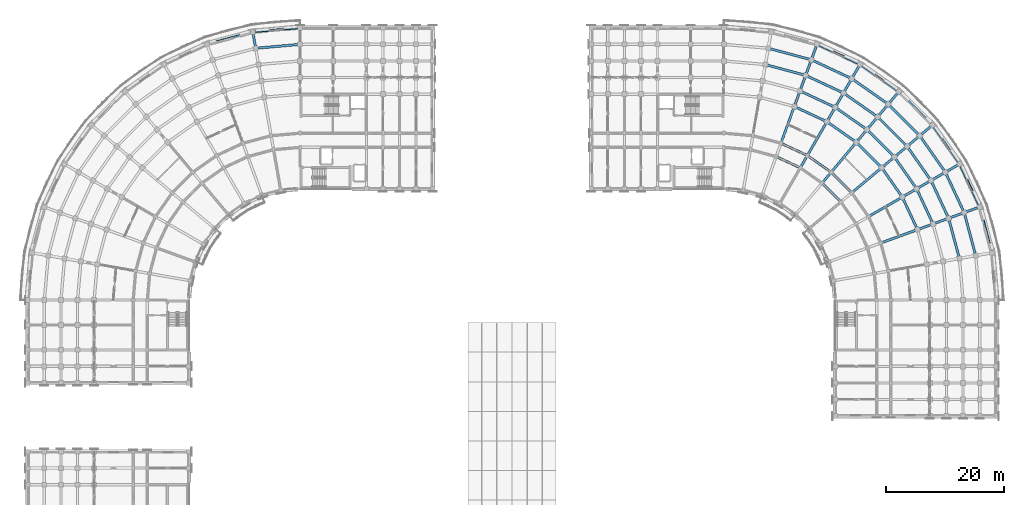
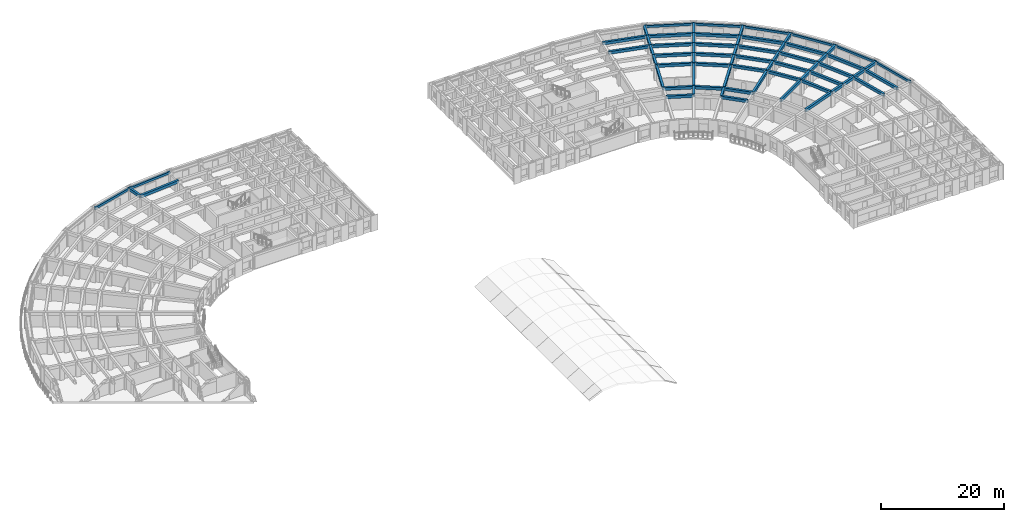
# One storey, part 12 of 54: 71 beams.
"""IFC4 building model written with IfcOpenShell, lengths in metres."""

from ifc_helpers import new_model, si_unit, direction, frame, origin, origin_2d, place, context, subcontext, project, spatial, rectangle, extrude, material, material_profile, profile_set, type_object, element, save


model = new_model("IFC4")

# Units and contexts
model_context = context("Model", 3, precision=1e-05, world=origin(), true_north=direction((0.0, 1.0)))
body_context = subcontext(model_context, "Body", "Model", "MODEL_VIEW")
ifc_project = project(units=[si_unit("LENGTHUNIT", "METRE"), si_unit("AREAUNIT", "SQUARE_METRE"), si_unit("VOLUMEUNIT", "CUBIC_METRE"), si_unit("PLANEANGLEUNIT", "RADIAN"), si_unit("MASSUNIT", "GRAM", prefix="KILO")], contexts=[model_context])

# Site, building, storey
site_placement = place(None, origin())
site = spatial("IfcSite", under=ifc_project, at=site_placement, CompositionType="ELEMENT")
building_placement = place(site_placement, origin())
building = spatial("IfcBuilding", under=site, at=building_placement, Name="Kiranvali Square Residences", CompositionType="ELEMENT")
storey_placement = place(building_placement, frame((0.0, 0.0, 15.0)))
storey = spatial("IfcBuildingStorey", under=building, at=storey_placement, Name="L04", CompositionType="ELEMENT", Elevation=15.0)

# Beams
ifc_material_1 = material(Name="Concrete M45 (45 MPa)", Category="concrete")
ifc_material_profile_1 = material_profile(ifc_material_1, rectangle(XDim=0.39990234375, YDim=0.550048828125, at=origin_2d()), Name="RC 400x550")
ifc_profile_set_1 = profile_set([ifc_material_profile_1], Name="Concrete M45 (45 MPa)")
beam_type_1 = type_object("IfcBeamType", Name="BM-M45-400x550", PredefinedType="BEAM", material=ifc_profile_set_1)
beam_1_placement = place(storey_placement, frame((48.199951171875, 131.0, 2.655029296875), z_axis=(-0.996195195417, -0.087150058103, 0.0), x_axis=(0.087150058103, -0.996195195417, 0.0)))
element("IfcBeam", 1, at=beam_1_placement, inside=storey, type_object=beam_type_1, Name="L04 beam BM-A-L04-C00-R6", PredefinedType="BEAM", context=body_context, shape_type="SweptSolid", body=[
    extrude(rectangle(XDim=0.39990234375, YDim=0.550048828125, at=origin_2d()), origin(), (0.0, 0.0, 1.0), 7.530029296875),
])
beam_2_placement = place(storey_placement, frame((40.698486328125, 130.34375, 2.655029296875), z_axis=(-0.173695795656, 0.984799355489, 0.0), x_axis=(-0.984799355489, -0.173695795656, 0.0)))
element("IfcBeam", 2, at=beam_2_placement, inside=storey, type_object=beam_type_1, Name="L04 beam BM-A-L04-RAD01-67", PredefinedType="BEAM", context=body_context, shape_type="SweptSolid", body=[
    extrude(rectangle(XDim=0.39990234375, YDim=0.550048828125, at=origin_2d()), origin(), (0.0, 0.0, 1.0), 2.7998046875),
])
beam_3_placement = place(storey_placement, frame((126.8154296875, 127.586181640625, 2.655029296875), z_axis=(0.965931029817, -0.258799624492, 0.0), x_axis=(0.258799624492, 0.965931029817, 0.0)))
element("IfcBeam", 3, at=beam_3_placement, inside=storey, type_object=beam_type_1, Name="L04 beam BM-B-L04-C01-R5", PredefinedType="BEAM", context=body_context, shape_type="SweptSolid", body=[
    extrude(rectangle(XDim=0.39990234375, YDim=0.550048828125, at=origin_2d()), origin(), (0.0, 0.0, 1.0), 7.042236328125),
])
beam_4_placement = place(storey_placement, frame((127.301513671875, 130.34375, 2.655029296875), z_axis=(0.965925909693, -0.258818733833, 0.0), x_axis=(0.258818733833, 0.965925909693, 0.0)))
element("IfcBeam", 4, at=beam_4_placement, inside=storey, type_object=beam_type_1, Name="L04 beam BM-B-L04-C01-R6", PredefinedType="BEAM", context=body_context, shape_type="SweptSolid", body=[
    extrude(rectangle(XDim=0.39990234375, YDim=0.550048828125, at=origin_2d()), origin(), (0.0, 0.0, 1.0), 7.5302734375),
])
beam_5_placement = place(storey_placement, frame((128.6240234375, 112.044189453125, 2.655029296875), z_axis=(0.906307919131, -0.422617978463, 0.0), x_axis=(0.422617978463, 0.906307919131, 0.0)))
element("IfcBeam", 5, at=beam_5_placement, inside=storey, type_object=beam_type_1, Name="L04 beam BM-B-L04-C02-R1", PredefinedType="BEAM", context=body_context, shape_type="SweptSolid", body=[
    extrude(rectangle(XDim=0.39990234375, YDim=0.550048828125, at=origin_2d()), origin(), (0.0, 0.0, 1.0), 4.497314453125),
])
beam_6_placement = place(storey_placement, frame((129.445068359375, 114.29931640625, 2.655029296875), z_axis=(0.906302381024, -0.422629854778, 0.0), x_axis=(0.422629854778, 0.906302381024, 0.0)))
element("IfcBeam", 6, at=beam_6_placement, inside=storey, type_object=beam_type_1, Name="L04 beam BM-B-L04-C02-R2", PredefinedType="BEAM", context=body_context, shape_type="SweptSolid", body=[
    extrude(rectangle(XDim=0.39990234375, YDim=0.550048828125, at=origin_2d()), origin(), (0.0, 0.0, 1.0), 4.915283203125),
])
beam_7_placement = place(storey_placement, frame((131.702392578125, 120.501220703125, 2.655029296875), z_axis=(0.906312656069, -0.42260781991, 0.0), x_axis=(0.42260781991, 0.906312656069, 0.0)))
element("IfcBeam", 7, at=beam_7_placement, inside=storey, type_object=beam_type_1, Name="L04 beam BM-B-L04-C02-R3", PredefinedType="BEAM", context=body_context, shape_type="SweptSolid", body=[
    extrude(rectangle(XDim=0.39990234375, YDim=0.550048828125, at=origin_2d()), origin(), (0.0, 0.0, 1.0), 6.06591796875),
])
beam_8_placement = place(storey_placement, frame((132.659912109375, 123.13232421875, 2.655029296875), z_axis=(0.906318225223, -0.422595876255, 0.0), x_axis=(0.422595876255, 0.906318225223, 0.0)))
element("IfcBeam", 8, at=beam_8_placement, inside=storey, type_object=beam_type_1, Name="L04 beam BM-B-L04-C02-R4", PredefinedType="BEAM", context=body_context, shape_type="SweptSolid", body=[
    extrude(rectangle(XDim=0.39990234375, YDim=0.550048828125, at=origin_2d()), origin(), (0.0, 0.0, 1.0), 6.55419921875),
])
beam_9_placement = place(storey_placement, frame((133.61767578125, 125.763671875, 2.655029296875), z_axis=(0.906297360311, -0.422640621205, 0.0), x_axis=(0.422640621205, 0.906297360311, 0.0)))
element("IfcBeam", 9, at=beam_9_placement, inside=storey, type_object=beam_type_1, Name="L04 beam BM-B-L04-C02-R5", PredefinedType="BEAM", context=body_context, shape_type="SweptSolid", body=[
    extrude(rectangle(XDim=0.39990234375, YDim=0.550048828125, at=origin_2d()), origin(), (0.0, 0.0, 1.0), 7.042236328125),
])
beam_10_placement = place(storey_placement, frame((134.5751953125, 128.394775390625, 2.655029296875), z_axis=(0.90630982703, -0.422613886933, 0.0), x_axis=(0.422613886933, 0.90630982703, 0.0)))
element("IfcBeam", 10, at=beam_10_placement, inside=storey, type_object=beam_type_1, Name="L04 beam BM-B-L04-C02-R6", PredefinedType="BEAM", context=body_context, shape_type="SweptSolid", body=[
    extrude(rectangle(XDim=0.39990234375, YDim=0.550048828125, at=origin_2d()), origin(), (0.0, 0.0, 1.0), 7.5302734375),
])
beam_11_placement = place(storey_placement, frame((133.89990234375, 112.221923828125, 2.655029296875), z_axis=(0.819140911474, -0.573592335331, 0.0), x_axis=(0.573592335331, 0.819140911474, 0.0)))
element("IfcBeam", 11, at=beam_11_placement, inside=storey, type_object=beam_type_1, Name="L04 beam BM-B-L04-C03-R2", PredefinedType="BEAM", context=body_context, shape_type="SweptSolid", body=[
    extrude(rectangle(XDim=0.39990234375, YDim=0.550048828125, at=origin_2d()), origin(), (0.0, 0.0, 1.0), 4.915771484375),
])
beam_12_placement = place(storey_placement, frame((137.199951171875, 117.937744140625, 2.655029296875), z_axis=(0.81913926159, -0.573594691504, 0.0), x_axis=(0.573594691504, 0.81913926159, 0.0)))
element("IfcBeam", 12, at=beam_12_placement, inside=storey, type_object=beam_type_1, Name="L04 beam BM-B-L04-C03-R3", PredefinedType="BEAM", context=body_context, shape_type="SweptSolid", body=[
    extrude(rectangle(XDim=0.39990234375, YDim=0.550048828125, at=origin_2d()), origin(), (0.0, 0.0, 1.0), 6.066162109375),
])
beam_13_placement = place(storey_placement, frame((138.60009765625, 120.362548828125, 2.655029296875), z_axis=(0.819144409176, -0.573587340268, 0.0), x_axis=(0.573587340268, 0.819144409176, 0.0)))
element("IfcBeam", 13, at=beam_13_placement, inside=storey, type_object=beam_type_1, Name="L04 beam BM-B-L04-C03-R4", PredefinedType="BEAM", context=body_context, shape_type="SweptSolid", body=[
    extrude(rectangle(XDim=0.39990234375, YDim=0.550048828125, at=origin_2d()), origin(), (0.0, 0.0, 1.0), 6.553955078125),
])
beam_14_placement = place(storey_placement, frame((140.0, 122.787353515625, 2.655029296875), z_axis=(0.819160249246, -0.57356471828, 0.0), x_axis=(0.57356471828, 0.819160249246, 0.0)))
element("IfcBeam", 14, at=beam_14_placement, inside=storey, type_object=beam_type_1, Name="L04 beam BM-B-L04-C03-R5", PredefinedType="BEAM", context=body_context, shape_type="SweptSolid", body=[
    extrude(rectangle(XDim=0.39990234375, YDim=0.550048828125, at=origin_2d()), origin(), (0.0, 0.0, 1.0), 7.0419921875),
])
beam_15_placement = place(storey_placement, frame((141.39990234375, 125.21240234375, 2.655029296875), z_axis=(0.819143569597, -0.573588539275, 0.0), x_axis=(0.573588539275, 0.819143569597, 0.0)))
element("IfcBeam", 15, at=beam_15_placement, inside=storey, type_object=beam_type_1, Name="L04 beam BM-B-L04-C03-R6", PredefinedType="BEAM", context=body_context, shape_type="SweptSolid", body=[
    extrude(rectangle(XDim=0.39990234375, YDim=0.550048828125, at=origin_2d()), origin(), (0.0, 0.0, 1.0), 7.5302734375),
])
beam_16_placement = place(storey_placement, frame((136.384033203125, 107.56396484375, 2.655029296875), z_axis=(0.707106781187, -0.707106781187, 0.0), x_axis=(0.707106781187, 0.707106781187, 0.0)))
element("IfcBeam", 16, at=beam_16_placement, inside=storey, type_object=beam_type_1, Name="L04 beam BM-B-L04-C04-R1", PredefinedType="BEAM", context=body_context, shape_type="SweptSolid", body=[
    extrude(rectangle(XDim=0.39990234375, YDim=0.550048828125, at=origin_2d()), origin(), (0.0, 0.0, 1.0), 4.4970703125),
])
beam_17_placement = place(storey_placement, frame((137.926513671875, 109.40234375, 2.655029296875), z_axis=(0.707106781187, -0.707106781187, 0.0), x_axis=(0.707106781187, 0.707106781187, 0.0)))
element("IfcBeam", 17, at=beam_17_placement, inside=storey, type_object=beam_type_1, Name="L04 beam BM-B-L04-C04-R2", PredefinedType="BEAM", context=body_context, shape_type="SweptSolid", body=[
    extrude(rectangle(XDim=0.39990234375, YDim=0.550048828125, at=origin_2d()), origin(), (0.0, 0.0, 1.0), 4.91552734375),
])
beam_18_placement = place(storey_placement, frame((142.1689453125, 114.458251953125, 2.655029296875), z_axis=(0.707106781187, -0.707106781187, 0.0), x_axis=(0.707106781187, 0.707106781187, 0.0)))
element("IfcBeam", 18, at=beam_18_placement, inside=storey, type_object=beam_type_1, Name="L04 beam BM-B-L04-C04-R3", PredefinedType="BEAM", context=body_context, shape_type="SweptSolid", body=[
    extrude(rectangle(XDim=0.39990234375, YDim=0.550048828125, at=origin_2d()), origin(), (0.0, 0.0, 1.0), 6.06591796875),
])
beam_19_placement = place(storey_placement, frame((143.96875, 116.603271484375, 2.655029296875), z_axis=(0.707106781187, -0.707106781187, 0.0), x_axis=(0.707106781187, 0.707106781187, 0.0)))
element("IfcBeam", 19, at=beam_19_placement, inside=storey, type_object=beam_type_1, Name="L04 beam BM-B-L04-C04-R4", PredefinedType="BEAM", context=body_context, shape_type="SweptSolid", body=[
    extrude(rectangle(XDim=0.39990234375, YDim=0.550048828125, at=origin_2d()), origin(), (0.0, 0.0, 1.0), 6.55419921875),
])
beam_20_placement = place(storey_placement, frame((145.7685546875, 118.748291015625, 2.655029296875), z_axis=(0.707106781187, -0.707106781187, 0.0), x_axis=(0.707106781187, 0.707106781187, 0.0)))
element("IfcBeam", 20, at=beam_20_placement, inside=storey, type_object=beam_type_1, Name="L04 beam BM-B-L04-C04-R5", PredefinedType="BEAM", context=body_context, shape_type="SweptSolid", body=[
    extrude(rectangle(XDim=0.39990234375, YDim=0.550048828125, at=origin_2d()), origin(), (0.0, 0.0, 1.0), 7.04248046875),
])
beam_21_placement = place(storey_placement, frame((147.568359375, 120.89306640625, 2.655029296875), z_axis=(0.707106781187, -0.707106781187, 0.0), x_axis=(0.707106781187, 0.707106781187, 0.0)))
element("IfcBeam", 21, at=beam_21_placement, inside=storey, type_object=beam_type_1, Name="L04 beam BM-B-L04-C04-R6", PredefinedType="BEAM", context=body_context, shape_type="SweptSolid", body=[
    extrude(rectangle(XDim=0.39990234375, YDim=0.550048828125, at=origin_2d()), origin(), (0.0, 0.0, 1.0), 7.5302734375),
])
beam_22_placement = place(storey_placement, frame((146.458251953125, 110.1689453125, 2.655029296875), z_axis=(0.573594691504, -0.81913926159, 0.0), x_axis=(0.81913926159, 0.573594691504, 0.0)))
element("IfcBeam", 22, at=beam_22_placement, inside=storey, type_object=beam_type_1, Name="L04 beam BM-B-L04-C05-R3", PredefinedType="BEAM", context=body_context, shape_type="SweptSolid", body=[
    extrude(rectangle(XDim=0.39990234375, YDim=0.550048828125, at=origin_2d()), origin(), (0.0, 0.0, 1.0), 6.066162109375),
])
beam_23_placement = place(storey_placement, frame((148.603271484375, 111.96875, 2.655029296875), z_axis=(0.573587340268, -0.819144409176, 0.0), x_axis=(0.819144409176, 0.573587340268, 0.0)))
element("IfcBeam", 23, at=beam_23_placement, inside=storey, type_object=beam_type_1, Name="L04 beam BM-B-L04-C05-R4", PredefinedType="BEAM", context=body_context, shape_type="SweptSolid", body=[
    extrude(rectangle(XDim=0.39990234375, YDim=0.550048828125, at=origin_2d()), origin(), (0.0, 0.0, 1.0), 6.553955078125),
])
beam_24_placement = place(storey_placement, frame((150.748291015625, 113.7685546875, 2.655029296875), z_axis=(0.57356471828, -0.819160249246, 0.0), x_axis=(0.819160249246, 0.57356471828, 0.0)))
element("IfcBeam", 24, at=beam_24_placement, inside=storey, type_object=beam_type_1, Name="L04 beam BM-B-L04-C05-R5", PredefinedType="BEAM", context=body_context, shape_type="SweptSolid", body=[
    extrude(rectangle(XDim=0.39990234375, YDim=0.550048828125, at=origin_2d()), origin(), (0.0, 0.0, 1.0), 7.0419921875),
])
beam_25_placement = place(storey_placement, frame((152.89306640625, 115.568359375, 2.655029296875), z_axis=(0.573588539275, -0.819143569597, 0.0), x_axis=(0.819143569597, 0.573588539275, 0.0)))
element("IfcBeam", 25, at=beam_25_placement, inside=storey, type_object=beam_type_1, Name="L04 beam BM-B-L04-C05-R6", PredefinedType="BEAM", context=body_context, shape_type="SweptSolid", body=[
    extrude(rectangle(XDim=0.39990234375, YDim=0.550048828125, at=origin_2d()), origin(), (0.0, 0.0, 1.0), 7.5302734375),
])
beam_26_placement = place(storey_placement, frame((149.937744140625, 105.199951171875, 2.655029296875), z_axis=(0.42260781991, -0.906312656069, 0.0), x_axis=(0.906312656069, 0.42260781991, 0.0)))
element("IfcBeam", 26, at=beam_26_placement, inside=storey, type_object=beam_type_1, Name="L04 beam BM-B-L04-C06-R3", PredefinedType="BEAM", context=body_context, shape_type="SweptSolid", body=[
    extrude(rectangle(XDim=0.39990234375, YDim=0.550048828125, at=origin_2d()), origin(), (0.0, 0.0, 1.0), 6.06591796875),
])
beam_27_placement = place(storey_placement, frame((152.362548828125, 106.60009765625, 2.655029296875), z_axis=(0.422595876255, -0.906318225223, 0.0), x_axis=(0.906318225223, 0.422595876255, 0.0)))
element("IfcBeam", 27, at=beam_27_placement, inside=storey, type_object=beam_type_1, Name="L04 beam BM-B-L04-C06-R4", PredefinedType="BEAM", context=body_context, shape_type="SweptSolid", body=[
    extrude(rectangle(XDim=0.39990234375, YDim=0.550048828125, at=origin_2d()), origin(), (0.0, 0.0, 1.0), 6.55419921875),
])
beam_28_placement = place(storey_placement, frame((154.787353515625, 108.0, 2.655029296875), z_axis=(0.422640621205, -0.906297360311, 0.0), x_axis=(0.906297360311, 0.422640621205, 0.0)))
element("IfcBeam", 28, at=beam_28_placement, inside=storey, type_object=beam_type_1, Name="L04 beam BM-B-L04-C06-R5", PredefinedType="BEAM", context=body_context, shape_type="SweptSolid", body=[
    extrude(rectangle(XDim=0.39990234375, YDim=0.550048828125, at=origin_2d()), origin(), (0.0, 0.0, 1.0), 7.042236328125),
])
beam_29_placement = place(storey_placement, frame((157.21240234375, 109.39990234375, 2.655029296875), z_axis=(0.422613886933, -0.90630982703, 0.0), x_axis=(0.90630982703, 0.422613886933, 0.0)))
element("IfcBeam", 29, at=beam_29_placement, inside=storey, type_object=beam_type_1, Name="L04 beam BM-B-L04-C06-R6", PredefinedType="BEAM", context=body_context, shape_type="SweptSolid", body=[
    extrude(rectangle(XDim=0.39990234375, YDim=0.550048828125, at=origin_2d()), origin(), (0.0, 0.0, 1.0), 7.5302734375),
])
beam_30_placement = place(storey_placement, frame((157.763671875, 101.61767578125, 2.655029296875), z_axis=(0.258799624492, -0.965931029817, 0.0), x_axis=(0.965931029817, 0.258799624492, 0.0)))
element("IfcBeam", 30, at=beam_30_placement, inside=storey, type_object=beam_type_1, Name="L04 beam BM-B-L04-C07-R5", PredefinedType="BEAM", context=body_context, shape_type="SweptSolid", body=[
    extrude(rectangle(XDim=0.39990234375, YDim=0.550048828125, at=origin_2d()), origin(), (0.0, 0.0, 1.0), 7.042236328125),
])
beam_31_placement = place(storey_placement, frame((160.394775390625, 102.5751953125, 2.655029296875), z_axis=(0.258818733833, -0.965925909693, 0.0), x_axis=(0.965925909693, 0.258818733833, 0.0)))
element("IfcBeam", 31, at=beam_31_placement, inside=storey, type_object=beam_type_1, Name="L04 beam BM-B-L04-C07-R6", PredefinedType="BEAM", context=body_context, shape_type="SweptSolid", body=[
    extrude(rectangle(XDim=0.39990234375, YDim=0.550048828125, at=origin_2d()), origin(), (0.0, 0.0, 1.0), 7.5302734375),
])
beam_32_placement = place(storey_placement, frame((129.445068359375, 114.29931640625, 2.655029296875), z_axis=(0.342022238372, 0.939691858249, 0.0), x_axis=(-0.939691858249, 0.342022238372, 0.0)))
element("IfcBeam", 32, at=beam_32_placement, inside=storey, type_object=beam_type_1, Name="L04 beam BM-B-L04-RAD02-23", PredefinedType="BEAM", context=body_context, shape_type="SweptSolid", body=[
    extrude(rectangle(XDim=0.39990234375, YDim=0.550048828125, at=origin_2d()), origin(), (0.0, 0.0, 1.0), 6.599853515625),
])
beam_33_placement = place(storey_placement, frame((131.702392578125, 120.501220703125, 2.655029296875), z_axis=(0.341981089711, 0.93970683422, 0.0), x_axis=(-0.93970683422, 0.341981089711, 0.0)))
element("IfcBeam", 33, at=beam_33_placement, inside=storey, type_object=beam_type_1, Name="L04 beam BM-B-L04-RAD02-34", PredefinedType="BEAM", context=body_context, shape_type="SweptSolid", body=[
    extrude(rectangle(XDim=0.39990234375, YDim=0.550048828125, at=origin_2d()), origin(), (0.0, 0.0, 1.0), 2.7998046875),
])
beam_34_placement = place(storey_placement, frame((132.659912109375, 123.13232421875, 2.655029296875), z_axis=(0.342030060398, 0.939689011208, 0.0), x_axis=(-0.939689011208, 0.342030060398, 0.0)))
element("IfcBeam", 34, at=beam_34_placement, inside=storey, type_object=beam_type_1, Name="L04 beam BM-B-L04-RAD02-45", PredefinedType="BEAM", context=body_context, shape_type="SweptSolid", body=[
    extrude(rectangle(XDim=0.39990234375, YDim=0.550048828125, at=origin_2d()), origin(), (0.0, 0.0, 1.0), 2.80029296875),
])
beam_35_placement = place(storey_placement, frame((133.61767578125, 125.763671875, 2.655029296875), z_axis=(0.341981089711, 0.93970683422, 0.0), x_axis=(-0.93970683422, 0.341981089711, 0.0)))
element("IfcBeam", 35, at=beam_35_placement, inside=storey, type_object=beam_type_1, Name="L04 beam BM-B-L04-RAD02-56", PredefinedType="BEAM", context=body_context, shape_type="SweptSolid", body=[
    extrude(rectangle(XDim=0.39990234375, YDim=0.550048828125, at=origin_2d()), origin(), (0.0, 0.0, 1.0), 2.7998046875),
])
beam_36_placement = place(storey_placement, frame((134.5751953125, 128.394775390625, 2.655029296875), z_axis=(0.342058084236, 0.939678810556, 0.0), x_axis=(-0.939678810556, 0.342058084236, 0.0)))
element("IfcBeam", 36, at=beam_36_placement, inside=storey, type_object=beam_type_1, Name="L04 beam BM-B-L04-RAD02-67", PredefinedType="BEAM", context=body_context, shape_type="SweptSolid", body=[
    extrude(rectangle(XDim=0.39990234375, YDim=0.550048828125, at=origin_2d()), origin(), (0.0, 0.0, 1.0), 2.800048828125),
])
beam_37_placement = place(storey_placement, frame((132.699951171875, 110.1435546875, 2.655029296875), z_axis=(0.500001309137, 0.866024647952, 0.0), x_axis=(-0.866024647952, 0.500001309137, 0.0)))
element("IfcBeam", 37, at=beam_37_placement, inside=storey, type_object=beam_type_1, Name="L04 beam BM-B-L04-RAD03-12", PredefinedType="BEAM", context=body_context, shape_type="SweptSolid", body=[
    extrude(rectangle(XDim=0.39990234375, YDim=0.550048828125, at=origin_2d()), origin(), (0.0, 0.0, 1.0), 2.39990234375),
])
beam_38_placement = place(storey_placement, frame((133.89990234375, 112.221923828125, 2.655029296875), z_axis=(0.500002094529, 0.866024194504, 0.0), x_axis=(-0.866024194504, 0.500002094529, 0.0)))
element("IfcBeam", 38, at=beam_38_placement, inside=storey, type_object=beam_type_1, Name="L04 beam BM-B-L04-RAD03-23", PredefinedType="BEAM", context=body_context, shape_type="SweptSolid", body=[
    extrude(rectangle(XDim=0.39990234375, YDim=0.550048828125, at=origin_2d()), origin(), (0.0, 0.0, 1.0), 6.60009765625),
])
beam_39_placement = place(storey_placement, frame((137.199951171875, 117.937744140625, 2.655029296875), z_axis=(0.500049511043, 0.865996816683, 0.0), x_axis=(-0.865996816683, 0.500049511043, 0.0)))
element("IfcBeam", 39, at=beam_39_placement, inside=storey, type_object=beam_type_1, Name="L04 beam BM-B-L04-RAD03-34", PredefinedType="BEAM", context=body_context, shape_type="SweptSolid", body=[
    extrude(rectangle(XDim=0.39990234375, YDim=0.550048828125, at=origin_2d()), origin(), (0.0, 0.0, 1.0), 2.800048828125),
])
beam_40_placement = place(storey_placement, frame((138.60009765625, 120.362548828125, 2.655029296875), z_axis=(0.49998411664, 0.866034573852, 0.0), x_axis=(-0.866034573852, 0.49998411664, 0.0)))
element("IfcBeam", 40, at=beam_40_placement, inside=storey, type_object=beam_type_1, Name="L04 beam BM-B-L04-RAD03-45", PredefinedType="BEAM", context=body_context, shape_type="SweptSolid", body=[
    extrude(rectangle(XDim=0.39990234375, YDim=0.550048828125, at=origin_2d()), origin(), (0.0, 0.0, 1.0), 2.7998046875),
])
for number, where, z_axis, x_axis, name in (
    (41, (140.0, 122.787353515625, 2.655029296875), (0.49994636267, 0.866056369097, 0.0), (-0.866056369097, 0.49994636267, 0.0), "L04 beam BM-B-L04-RAD03-56"),
    (42, (141.39990234375, 125.21240234375, 2.655029296875), (0.500049511043, 0.865996816683, 0.0), (-0.865996816683, 0.500049511043, 0.0), "L04 beam BM-B-L04-RAD03-67"),
):
    element("IfcBeam", number, at=place(storey_placement, frame(where, z_axis=z_axis, x_axis=x_axis)), inside=storey, type_object=beam_type_1, Name=name, PredefinedType="BEAM", context=body_context, shape_type="SweptSolid", body=[
        extrude(rectangle(XDim=0.39990234375, YDim=0.550048828125, at=origin_2d()), origin(), (0.0, 0.0, 1.0), 2.800048828125),
    ])
beam_41_placement = place(storey_placement, frame((136.384033203125, 107.56396484375, 2.655029296875), z_axis=(0.642762521781, 0.766065493671, 0.0), x_axis=(-0.766065493671, 0.642762521781, 0.0)))
element("IfcBeam", 43, at=beam_41_placement, inside=storey, type_object=beam_type_1, Name="L04 beam BM-B-L04-RAD04-12", PredefinedType="BEAM", context=body_context, shape_type="SweptSolid", body=[
    extrude(rectangle(XDim=0.39990234375, YDim=0.550048828125, at=origin_2d()), origin(), (0.0, 0.0, 1.0), 2.399658203125),
])
beam_42_placement = place(storey_placement, frame((137.926513671875, 109.40234375, 2.655029296875), z_axis=(0.642789470807, 0.766042881449, 0.0), x_axis=(-0.766042881449, 0.642789470807, 0.0)))
element("IfcBeam", 44, at=beam_42_placement, inside=storey, type_object=beam_type_1, Name="L04 beam BM-B-L04-RAD04-23", PredefinedType="BEAM", context=body_context, shape_type="SweptSolid", body=[
    extrude(rectangle(XDim=0.39990234375, YDim=0.550048828125, at=origin_2d()), origin(), (0.0, 0.0, 1.0), 6.60009765625),
])
for number, where, z_axis, x_axis, name in (
    (45, (142.1689453125, 114.458251953125, 2.655029296875), (0.642770757628, 0.766058583359, 0.0), (-0.766058583359, 0.642770757628, 0.0), "L04 beam BM-B-L04-RAD04-34"),
    (46, (143.96875, 116.603271484375, 2.655029296875), (0.642770757628, 0.766058583359, 0.0), (-0.766058583359, 0.642770757628, 0.0), "L04 beam BM-B-L04-RAD04-45"),
):
    element("IfcBeam", number, at=place(storey_placement, frame(where, z_axis=z_axis, x_axis=x_axis)), inside=storey, type_object=beam_type_1, Name=name, PredefinedType="BEAM", context=body_context, shape_type="SweptSolid", body=[
        extrude(rectangle(XDim=0.39990234375, YDim=0.550048828125, at=origin_2d()), origin(), (0.0, 0.0, 1.0), 2.800048828125),
    ])
beam_43_placement = place(storey_placement, frame((145.7685546875, 118.748291015625, 2.655029296875), z_axis=(0.642813692253, 0.76602255649, 0.0), x_axis=(-0.76602255649, 0.642813692253, 0.0)))
element("IfcBeam", 47, at=beam_43_placement, inside=storey, type_object=beam_type_1, Name="L04 beam BM-B-L04-RAD04-56", PredefinedType="BEAM", context=body_context, shape_type="SweptSolid", body=[
    extrude(rectangle(XDim=0.39990234375, YDim=0.550048828125, at=origin_2d()), origin(), (0.0, 0.0, 1.0), 2.7998046875),
])
beam_44_placement = place(storey_placement, frame((147.568359375, 120.89306640625, 2.655029296875), z_axis=(0.642770757628, 0.766058583359, 0.0), x_axis=(-0.766058583359, 0.642770757628, 0.0)))
element("IfcBeam", 48, at=beam_44_placement, inside=storey, type_object=beam_type_1, Name="L04 beam BM-B-L04-RAD04-67", PredefinedType="BEAM", context=body_context, shape_type="SweptSolid", body=[
    extrude(rectangle(XDim=0.39990234375, YDim=0.550048828125, at=origin_2d()), origin(), (0.0, 0.0, 1.0), 2.800048828125),
])
beam_45_placement = place(storey_placement, frame((141.40234375, 105.926513671875, 2.655029296875), z_axis=(0.766042881449, 0.642789470807, 0.0), x_axis=(-0.642789470807, 0.766042881449, 0.0)))
element("IfcBeam", 49, at=beam_45_placement, inside=storey, type_object=beam_type_1, Name="L04 beam BM-B-L04-RAD05-23", PredefinedType="BEAM", context=body_context, shape_type="SweptSolid", body=[
    extrude(rectangle(XDim=0.39990234375, YDim=0.550048828125, at=origin_2d()), origin(), (0.0, 0.0, 1.0), 6.60009765625),
])
for number, where, z_axis, x_axis, name in (
    (50, (146.458251953125, 110.1689453125, 2.655029296875), (0.766058583359, 0.642770757628, 0.0), (-0.642770757628, 0.766058583359, 0.0), "L04 beam BM-B-L04-RAD05-34"),
    (51, (148.603271484375, 111.96875, 2.655029296875), (0.766058583359, 0.642770757628, 0.0), (-0.642770757628, 0.766058583359, 0.0), "L04 beam BM-B-L04-RAD05-45"),
):
    element("IfcBeam", number, at=place(storey_placement, frame(where, z_axis=z_axis, x_axis=x_axis)), inside=storey, type_object=beam_type_1, Name=name, PredefinedType="BEAM", context=body_context, shape_type="SweptSolid", body=[
        extrude(rectangle(XDim=0.39990234375, YDim=0.550048828125, at=origin_2d()), origin(), (0.0, 0.0, 1.0), 2.800048828125),
    ])
beam_46_placement = place(storey_placement, frame((150.748291015625, 113.7685546875, 2.655029296875), z_axis=(0.76602255649, 0.642813692253, 0.0), x_axis=(-0.642813692253, 0.76602255649, 0.0)))
element("IfcBeam", 52, at=beam_46_placement, inside=storey, type_object=beam_type_1, Name="L04 beam BM-B-L04-RAD05-56", PredefinedType="BEAM", context=body_context, shape_type="SweptSolid", body=[
    extrude(rectangle(XDim=0.39990234375, YDim=0.550048828125, at=origin_2d()), origin(), (0.0, 0.0, 1.0), 2.7998046875),
])
beam_47_placement = place(storey_placement, frame((152.89306640625, 115.568359375, 2.655029296875), z_axis=(0.766058583359, 0.642770757628, 0.0), x_axis=(-0.642770757628, 0.766058583359, 0.0)))
element("IfcBeam", 53, at=beam_47_placement, inside=storey, type_object=beam_type_1, Name="L04 beam BM-B-L04-RAD05-67", PredefinedType="BEAM", context=body_context, shape_type="SweptSolid", body=[
    extrude(rectangle(XDim=0.39990234375, YDim=0.550048828125, at=origin_2d()), origin(), (0.0, 0.0, 1.0), 2.800048828125),
])
beam_48_placement = place(storey_placement, frame((144.221923828125, 101.89990234375, 2.655029296875), z_axis=(0.866024194504, 0.500002094529, 0.0), x_axis=(-0.500002094529, 0.866024194504, 0.0)))
element("IfcBeam", 54, at=beam_48_placement, inside=storey, type_object=beam_type_1, Name="L04 beam BM-B-L04-RAD06-23", PredefinedType="BEAM", context=body_context, shape_type="SweptSolid", body=[
    extrude(rectangle(XDim=0.39990234375, YDim=0.550048828125, at=origin_2d()), origin(), (0.0, 0.0, 1.0), 6.60009765625),
])
beam_49_placement = place(storey_placement, frame((149.937744140625, 105.199951171875, 2.655029296875), z_axis=(0.865996816683, 0.500049511043, 0.0), x_axis=(-0.500049511043, 0.865996816683, 0.0)))
element("IfcBeam", 55, at=beam_49_placement, inside=storey, type_object=beam_type_1, Name="L04 beam BM-B-L04-RAD06-34", PredefinedType="BEAM", context=body_context, shape_type="SweptSolid", body=[
    extrude(rectangle(XDim=0.39990234375, YDim=0.550048828125, at=origin_2d()), origin(), (0.0, 0.0, 1.0), 2.800048828125),
])
beam_50_placement = place(storey_placement, frame((152.362548828125, 106.60009765625, 2.655029296875), z_axis=(0.866034573852, 0.49998411664, 0.0), x_axis=(-0.49998411664, 0.866034573852, 0.0)))
element("IfcBeam", 56, at=beam_50_placement, inside=storey, type_object=beam_type_1, Name="L04 beam BM-B-L04-RAD06-45", PredefinedType="BEAM", context=body_context, shape_type="SweptSolid", body=[
    extrude(rectangle(XDim=0.39990234375, YDim=0.550048828125, at=origin_2d()), origin(), (0.0, 0.0, 1.0), 2.7998046875),
])
for number, where, z_axis, x_axis, name in (
    (57, (154.787353515625, 108.0, 2.655029296875), (0.866056369097, 0.49994636267, 0.0), (-0.49994636267, 0.866056369097, 0.0), "L04 beam BM-B-L04-RAD06-56"),
    (58, (157.21240234375, 109.39990234375, 2.655029296875), (0.865996816683, 0.500049511043, 0.0), (-0.500049511043, 0.865996816683, 0.0), "L04 beam BM-B-L04-RAD06-67"),
):
    element("IfcBeam", number, at=place(storey_placement, frame(where, z_axis=z_axis, x_axis=x_axis)), inside=storey, type_object=beam_type_1, Name=name, PredefinedType="BEAM", context=body_context, shape_type="SweptSolid", body=[
        extrude(rectangle(XDim=0.39990234375, YDim=0.550048828125, at=origin_2d()), origin(), (0.0, 0.0, 1.0), 2.800048828125),
    ])
beam_51_placement = place(storey_placement, frame((146.29931640625, 97.445068359375, 2.655029296875), z_axis=(0.939691858249, 0.342022238372, 0.0), x_axis=(-0.342022238372, 0.939691858249, 0.0)))
element("IfcBeam", 59, at=beam_51_placement, inside=storey, type_object=beam_type_1, Name="L04 beam BM-B-L04-RAD07-23", PredefinedType="BEAM", context=body_context, shape_type="SweptSolid", body=[
    extrude(rectangle(XDim=0.39990234375, YDim=0.550048828125, at=origin_2d()), origin(), (0.0, 0.0, 1.0), 6.599853515625),
])
beam_52_placement = place(storey_placement, frame((152.501220703125, 99.702392578125, 2.655029296875), z_axis=(0.93970683422, 0.341981089711, 0.0), x_axis=(-0.341981089711, 0.93970683422, 0.0)))
element("IfcBeam", 60, at=beam_52_placement, inside=storey, type_object=beam_type_1, Name="L04 beam BM-B-L04-RAD07-34", PredefinedType="BEAM", context=body_context, shape_type="SweptSolid", body=[
    extrude(rectangle(XDim=0.39990234375, YDim=0.550048828125, at=origin_2d()), origin(), (0.0, 0.0, 1.0), 2.7998046875),
])
beam_53_placement = place(storey_placement, frame((155.13232421875, 100.659912109375, 2.655029296875), z_axis=(0.939689011208, 0.342030060398, 0.0), x_axis=(-0.342030060398, 0.939689011208, 0.0)))
element("IfcBeam", 61, at=beam_53_placement, inside=storey, type_object=beam_type_1, Name="L04 beam BM-B-L04-RAD07-45", PredefinedType="BEAM", context=body_context, shape_type="SweptSolid", body=[
    extrude(rectangle(XDim=0.39990234375, YDim=0.550048828125, at=origin_2d()), origin(), (0.0, 0.0, 1.0), 2.80029296875),
])
beam_54_placement = place(storey_placement, frame((157.763671875, 101.61767578125, 2.655029296875), z_axis=(0.93970683422, 0.341981089711, 0.0), x_axis=(-0.341981089711, 0.93970683422, 0.0)))
element("IfcBeam", 62, at=beam_54_placement, inside=storey, type_object=beam_type_1, Name="L04 beam BM-B-L04-RAD07-56", PredefinedType="BEAM", context=body_context, shape_type="SweptSolid", body=[
    extrude(rectangle(XDim=0.39990234375, YDim=0.550048828125, at=origin_2d()), origin(), (0.0, 0.0, 1.0), 2.7998046875),
])
beam_55_placement = place(storey_placement, frame((160.394775390625, 102.5751953125, 2.655029296875), z_axis=(0.939678810556, 0.342058084236, 0.0), x_axis=(-0.342058084236, 0.939678810556, 0.0)))
element("IfcBeam", 63, at=beam_55_placement, inside=storey, type_object=beam_type_1, Name="L04 beam BM-B-L04-RAD07-67", PredefinedType="BEAM", context=body_context, shape_type="SweptSolid", body=[
    extrude(rectangle(XDim=0.39990234375, YDim=0.550048828125, at=origin_2d()), origin(), (0.0, 0.0, 1.0), 2.800048828125),
])
ifc_material_2 = material(Name="Concrete M40 (40 MPa)", Category="concrete")
ifc_material_profile_2 = material_profile(ifc_material_2, rectangle(XDim=0.300048828125, YDim=0.449951171875, at=origin_2d()), Name="RC 300x450")
ifc_profile_set_2 = profile_set([ifc_material_profile_2], Name="Concrete M40 (40 MPa)")
beam_type_2 = type_object("IfcBeamType", Name="SPN-M40-300x450", PredefinedType="SPANDREL", material=ifc_profile_set_2)
for number, where, z_axis, x_axis, name in (
    (64, (48.199951171875, 133.800048828125, 2.705078125), (-0.996193254792, -0.087172238171, 0.0), (0.087172238171, -0.996193254792, 0.0), "L04 beam BM-A-L04-C00-R7"),
    (65, (40.212158203125, 133.10107421875, 2.705078125), (-0.96592902462, -0.258807108475, 0.0), (0.258807108475, -0.96592902462, 0.0), "L04 beam BM-A-L04-C01-R7"),
    (66, (135.532958984375, 131.02587890625, 2.705078125), (0.906309113636, -0.422615416827, 0.0), (0.422615416827, 0.906309113636, 0.0), "L04 beam BM-B-L04-C02-R7"),
    (67, (142.800048828125, 127.63720703125, 2.705078125), (0.819147515001, -0.573582904791, 0.0), (0.573582904791, 0.819147515001, 0.0), "L04 beam BM-B-L04-C03-R7"),
):
    element("IfcBeam", number, at=place(storey_placement, frame(where, z_axis=z_axis, x_axis=x_axis)), inside=storey, type_object=beam_type_2, Name=name, PredefinedType="SPANDREL", context=body_context, shape_type="SweptSolid", body=[
        extrude(rectangle(XDim=0.300048828125, YDim=0.449951171875, at=origin_2d()), origin(), (0.0, 0.0, 1.0), 8.018310546875),
    ])
beam_56_placement = place(storey_placement, frame((149.3681640625, 123.0380859375, 2.705078125), z_axis=(0.707106781187, -0.707106781187, 0.0), x_axis=(0.707106781187, 0.707106781187, 0.0)))
element("IfcBeam", 68, at=beam_56_placement, inside=storey, type_object=beam_type_2, Name="L04 beam BM-B-L04-C04-R7", PredefinedType="SPANDREL", context=body_context, shape_type="SweptSolid", body=[
    extrude(rectangle(XDim=0.300048828125, YDim=0.449951171875, at=origin_2d()), origin(), (0.0, 0.0, 1.0), 8.0185546875),
])
for number, where, z_axis, x_axis, name in (
    (69, (155.0380859375, 117.3681640625, 2.705078125), (0.573582904791, -0.819147515001, 0.0), (0.819147515001, 0.573582904791, 0.0), "L04 beam BM-B-L04-C05-R7"),
    (70, (159.63720703125, 110.800048828125, 2.705078125), (0.422615416827, -0.906309113636, 0.0), (0.906309113636, 0.422615416827, 0.0), "L04 beam BM-B-L04-C06-R7"),
    (71, (163.02587890625, 103.532958984375, 2.705078125), (0.258807108475, -0.96592902462, 0.0), (0.96592902462, 0.258807108475, 0.0), "L04 beam BM-B-L04-C07-R7"),
):
    element("IfcBeam", number, at=place(storey_placement, frame(where, z_axis=z_axis, x_axis=x_axis)), inside=storey, type_object=beam_type_2, Name=name, PredefinedType="SPANDREL", context=body_context, shape_type="SweptSolid", body=[
        extrude(rectangle(XDim=0.300048828125, YDim=0.449951171875, at=origin_2d()), origin(), (0.0, 0.0, 1.0), 8.018310546875),
    ])

save(model, "model.ifc")
